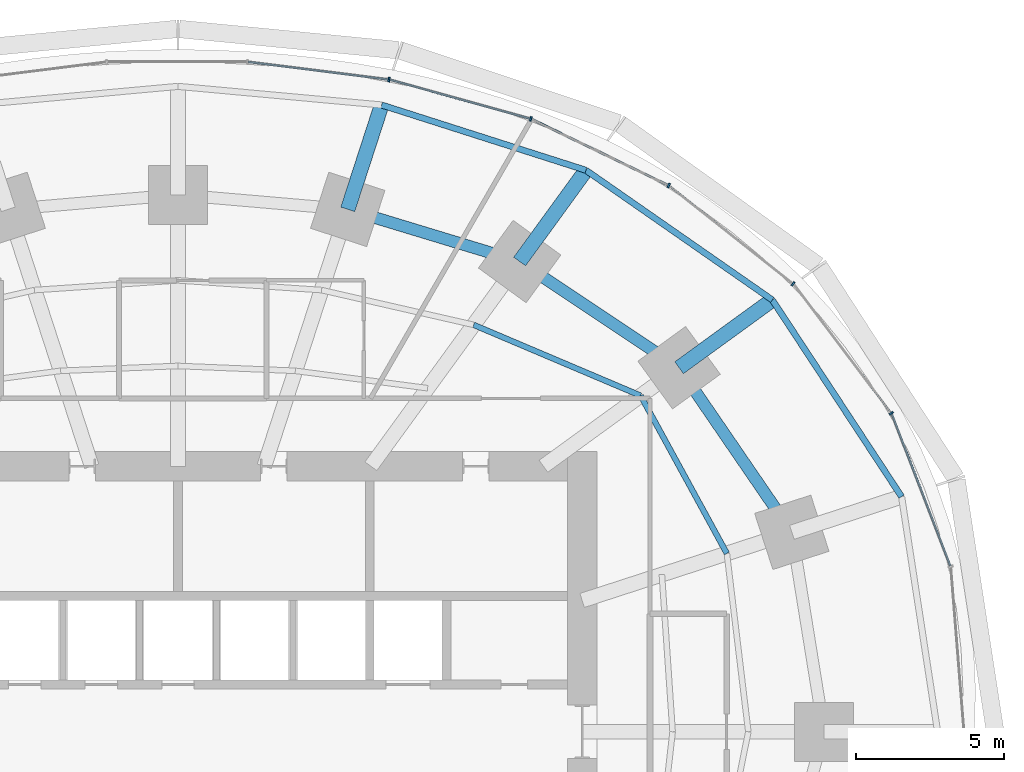
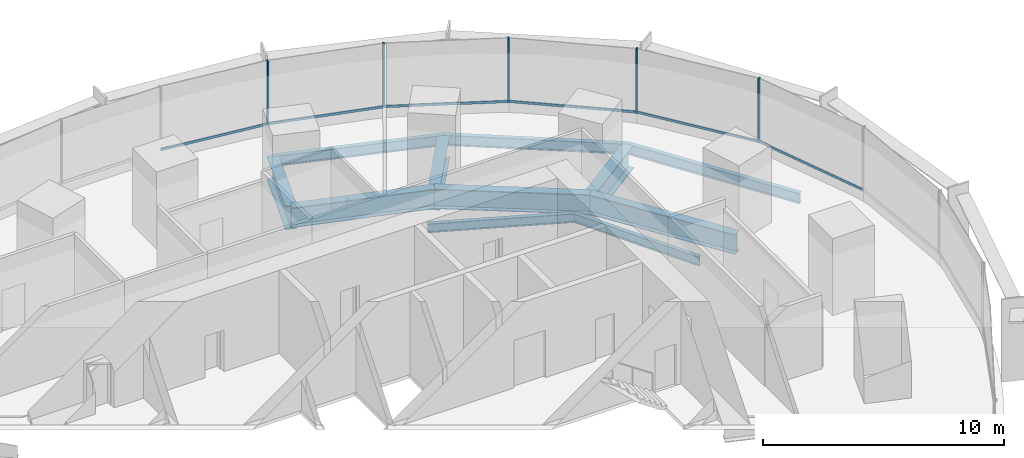
# One storey, part 9 of 15: 11 beams, 11 members, 2 elements without a shape of their own.
"""IFC4 building model written with IfcOpenShell, lengths in metres."""

from ifc_helpers import new_model, si_unit, direction, frame, origin, origin_2d, place, context, subcontext, project, spatial, rectangle, i_section, extrude, material, material_profile, profile_set, type_object, element, aggregate, save


model = new_model("IFC4")

# Units and contexts
model_context = context("Model", 3, precision=1e-05, world=origin(), true_north=direction((0.0, 1.0)))
body_context = subcontext(model_context, "Body", "Model", "MODEL_VIEW")
ifc_project = project(units=[si_unit("LENGTHUNIT", "METRE"), si_unit("AREAUNIT", "SQUARE_METRE"), si_unit("VOLUMEUNIT", "CUBIC_METRE"), si_unit("PLANEANGLEUNIT", "RADIAN"), si_unit("MASSUNIT", "GRAM", prefix="KILO")], contexts=[model_context])

# Site, building, storey
site_placement = place(None, origin())
site = spatial("IfcSite", under=ifc_project, at=site_placement, CompositionType="ELEMENT")
building_placement = place(site_placement, origin())
building = spatial("IfcBuilding", under=site, at=building_placement, Name="Marramba Exchange Tower", CompositionType="ELEMENT")
storey_placement = place(building_placement, frame((0.0, 0.0, 53.199951171875)))
storey = spatial("IfcBuildingStorey", under=building, at=storey_placement, Name="L12", CompositionType="ELEMENT", Elevation=53.199951171875)

# Beams
ifc_material_1 = material(Name="Steel AS/NZS 3679.2 grade 300", Category="steel")
ifc_material_profile_1 = material_profile(ifc_material_1, i_section(OverallWidth=0.5, OverallDepth=1.199951171875, WebThickness=0.01611328125, FlangeThickness=0.0400390625, at=origin_2d()), Name="1200WB455")
ifc_profile_set_1 = profile_set([ifc_material_profile_1], Name="Steel AS/NZS 3679.2 grade 300")
beam_type_1 = type_object("IfcBeamType", Name="Cantilever girder 1200WB455", PredefinedType="BEAM", material=ifc_profile_set_1)
beam_1_placement = place(storey_placement, frame((16.98583984375, 12.3408203125, -0.760009765625), z_axis=(0.808987260856, 0.587826174793, 0.0), x_axis=(-0.587826174793, 0.808987260856, 0.0)))
element("IfcBeam", 1, at=beam_1_placement, inside=storey, type_object=beam_type_1, Name="Cantilever girder L12 TC03", PredefinedType="BEAM", context=body_context, shape_type="SweptSolid", body=[
    extrude(i_section(OverallWidth=0.5, OverallDepth=1.199951171875, WebThickness=0.01611328125, FlangeThickness=0.0400390625, at=origin_2d()), origin(), (0.0, 0.0, 1.0), 3.90771484375),
])
beam_2_placement = place(storey_placement, frame((11.581298828125, 15.9404296875, -0.760009765625), z_axis=(0.587795827483, 0.809009310944, 0.0), x_axis=(-0.809009310944, 0.587795827483, 0.0)))
element("IfcBeam", 2, at=beam_2_placement, inside=storey, type_object=beam_type_1, Name="Cantilever girder L12 TC04", PredefinedType="BEAM", context=body_context, shape_type="SweptSolid", body=[
    extrude(i_section(OverallWidth=0.5, OverallDepth=1.199951171875, WebThickness=0.01611328125, FlangeThickness=0.0400390625, at=origin_2d()), origin(), (0.0, 0.0, 1.0), 3.82421875),
])
beam_3_placement = place(storey_placement, frame((5.75390625, 17.70849609375, -0.760009765625), z_axis=(0.308973290646, 0.951070715387, 0.0), x_axis=(-0.951070715387, 0.308973290646, 0.0)))
element("IfcBeam", 3, at=beam_3_placement, inside=storey, type_object=beam_type_1, Name="Cantilever girder L12 TC05", PredefinedType="BEAM", context=body_context, shape_type="SweptSolid", body=[
    extrude(i_section(OverallWidth=0.5, OverallDepth=1.199951171875, WebThickness=0.01611328125, FlangeThickness=0.0400390625, at=origin_2d()), origin(), (0.0, 0.0, 1.0), 3.72021484375),
])
ifc_material_2 = material(Name="Steel AS/NZS 3679.1 grade 300", Category="steel")
ifc_material_profile_2 = material_profile(ifc_material_2, i_section(OverallWidth=0.18994140625, OverallDepth=0.4541015625, WebThickness=0.008544921875, FlangeThickness=0.0126953125, FilletRadius=0.011474609375, at=origin_2d()), Name="460UB67.1")
ifc_profile_set_2 = profile_set([ifc_material_profile_2], Name="Steel AS/NZS 3679.1 grade 300")
beam_type_2 = type_object("IfcBeamType", Name="Floor joist 460UB67.1", PredefinedType="JOIST", material=ifc_profile_set_2)
beam_4_placement = place(storey_placement, frame((18.60546875, 6.04541015625, -0.386962890625), z_axis=(-0.479584443791, 0.877495732909, 0.0), x_axis=(-0.877495732909, -0.479584443791, 0.0)))
element("IfcBeam", 4, at=beam_4_placement, inside=storey, type_object=beam_type_2, Name="Joist L12 bay 02 row 2", PredefinedType="JOIST", context=body_context, shape_type="SweptSolid", body=[
    extrude(i_section(OverallWidth=0.18994140625, OverallDepth=0.4541015625, WebThickness=0.008544921875, FlangeThickness=0.0126953125, FilletRadius=0.011474609375, at=origin_2d()), origin(), (0.0, 0.0, 1.0), 6.094970703125),
])
beam_5_placement = place(storey_placement, frame((15.682373046875, 11.393798828125, -0.386962890625), z_axis=(-0.920674336375, 0.390331610738, 0.0), x_axis=(-0.390331610738, -0.920674336375, 0.0)))
element("IfcBeam", 5, at=beam_5_placement, inside=storey, type_object=beam_type_2, Name="Joist L12 bay 03 row 2", PredefinedType="JOIST", context=body_context, shape_type="SweptSolid", body=[
    extrude(i_section(OverallWidth=0.18994140625, OverallDepth=0.4541015625, WebThickness=0.008544921875, FlangeThickness=0.0126953125, FilletRadius=0.011474609375, at=origin_2d()), origin(), (0.0, 0.0, 1.0), 6.1484375),
])
ifc_material_profile_3 = material_profile(ifc_material_1, i_section(OverallWidth=0.39990234375, OverallDepth=1.0, WebThickness=0.01611328125, FlangeThickness=0.031982421875, at=origin_2d()), Name="1000WB322")
ifc_profile_set_3 = profile_set([ifc_material_profile_3], Name="Steel AS/NZS 3679.2 grade 300")
beam_type_3 = type_object("IfcBeamType", Name="Ring beam 1000WB322", PredefinedType="SPANDREL", material=ifc_profile_set_3)
beam_6_placement = place(storey_placement, frame((20.808349609375, 6.760986328125, -0.659912109375), z_axis=(-0.56516002054, 0.824981303535, 0.0), x_axis=(-0.824981303535, -0.56516002054, 0.0)))
element("IfcBeam", 6, at=beam_6_placement, inside=storey, type_object=beam_type_3, Name="Ring beam L12 TC02-TC03", PredefinedType="SPANDREL", context=body_context, shape_type="SweptSolid", body=[
    extrude(i_section(OverallWidth=0.39990234375, OverallDepth=1.0, WebThickness=0.01611328125, FlangeThickness=0.031982421875, at=origin_2d()), origin(), (0.0, 0.0, 1.0), 6.763671875),
])
beam_7_placement = place(storey_placement, frame((16.98583984375, 12.3408203125, -0.659912109375), z_axis=(-0.832293151443, 0.554335737673, 0.0), x_axis=(-0.554335737673, -0.832293151443, 0.0)))
element("IfcBeam", 7, at=beam_7_placement, inside=storey, type_object=beam_type_3, Name="Ring beam L12 TC03-TC04", PredefinedType="SPANDREL", context=body_context, shape_type="SweptSolid", body=[
    extrude(i_section(OverallWidth=0.39990234375, OverallDepth=1.0, WebThickness=0.01611328125, FlangeThickness=0.031982421875, at=origin_2d()), origin(), (0.0, 0.0, 1.0), 6.49365234375),
])
beam_8_placement = place(storey_placement, frame((11.581298828125, 15.9404296875, -0.659912109375), z_axis=(-0.956924542524, 0.290336735387, 0.0), x_axis=(-0.290336735387, -0.956924542524, 0.0)))
element("IfcBeam", 8, at=beam_8_placement, inside=storey, type_object=beam_type_3, Name="Ring beam L12 TC04-TC05", PredefinedType="SPANDREL", context=body_context, shape_type="SweptSolid", body=[
    extrude(i_section(OverallWidth=0.39990234375, OverallDepth=1.0, WebThickness=0.01611328125, FlangeThickness=0.031982421875, at=origin_2d()), origin(), (0.0, 0.0, 1.0), 6.089599609375),
])
ifc_material_profile_4 = material_profile(ifc_material_2, i_section(OverallWidth=0.208984375, OverallDepth=0.528076171875, WebThickness=0.009521484375, FlangeThickness=0.01318359375, FilletRadius=0.013916015625, at=origin_2d()), Name="530UB82.0")
ifc_profile_set_4 = profile_set([ifc_material_profile_4], Name="Steel AS/NZS 3679.1 grade 300")
beam_type_4 = type_object("IfcBeamType", Name="Slab edge beam 530UB82.0", PredefinedType="SPANDREL", material=ifc_profile_set_4)
beam_9_placement = place(storey_placement, frame((24.528564453125, 7.9697265625, -0.424072265625), z_axis=(-0.549123544095, 0.835741188001, 0.0), x_axis=(-0.835741188001, -0.549123544095, 0.0)))
element("IfcBeam", 9, at=beam_9_placement, inside=storey, type_object=beam_type_4, Name="Slab edge beam L12 TC02-TC03", PredefinedType="SPANDREL", context=body_context, shape_type="SweptSolid", body=[
    extrude(i_section(OverallWidth=0.208984375, OverallDepth=0.528076171875, WebThickness=0.009521484375, FlangeThickness=0.01318359375, FilletRadius=0.013916015625, at=origin_2d()), origin(), (0.0, 0.0, 1.0), 7.978759765625),
])
beam_10_placement = place(storey_placement, frame((20.147216796875, 14.637939453125, -0.424072265625), z_axis=(-0.820842487183, 0.571154629882, 0.0), x_axis=(-0.571154629882, -0.820842487183, 0.0)))
element("IfcBeam", 10, at=beam_10_placement, inside=storey, type_object=beam_type_4, Name="Slab edge beam L12 TC03-TC04", PredefinedType="SPANDREL", context=body_context, shape_type="SweptSolid", body=[
    extrude(i_section(OverallWidth=0.208984375, OverallDepth=0.528076171875, WebThickness=0.009521484375, FlangeThickness=0.01318359375, FilletRadius=0.013916015625, at=origin_2d()), origin(), (0.0, 0.0, 1.0), 7.697021484375),
])
beam_11_placement = place(storey_placement, frame((13.8291015625, 19.0341796875, -0.424072265625), z_axis=(-0.952577642997, 0.304295635957, 0.0), x_axis=(-0.304295635957, -0.952577642997, 0.0)))
element("IfcBeam", 11, at=beam_11_placement, inside=storey, type_object=beam_type_4, Name="Slab edge beam L12 TC04-TC05", PredefinedType="SPANDREL", context=body_context, shape_type="SweptSolid", body=[
    extrude(i_section(OverallWidth=0.208984375, OverallDepth=0.528076171875, WebThickness=0.009521484375, FlangeThickness=0.01318359375, FilletRadius=0.013916015625, at=origin_2d()), origin(), (0.0, 0.0, 1.0), 7.2705078125),
])

# Curtain wall, members
ifc_material_3 = material(Name="Aluminium framing, bronze anodised", Category="aluminium")
curtain_wall_type = type_object("IfcCurtainWallType", Name="Trading floor ribbon curtain wall", PredefinedType="USERDEFINED", material=ifc_material_3)
curtain_wall_1_placement = place(storey_placement, origin())
curtain_wall_1 = element("IfcCurtainWall", 12, at=curtain_wall_1_placement, inside=storey, type_object=curtain_wall_type, Name="Curtain wall CW3 L12 F01-F05", ObjectType="RIBBON CURTAIN WALL", PredefinedType="USERDEFINED")
ifc_material_4 = material(Name="Aluminium mullion, bronze anodised", Category="aluminium")
ifc_material_profile_5 = material_profile(ifc_material_4, rectangle(XDim=0.159912109375, YDim=0.06005859375, at=origin_2d()), Name="CW3 mullion 60x160")
ifc_profile_set_5 = profile_set([ifc_material_profile_5], Name="Aluminium mullion, bronze anodised")
member_type_1 = type_object("IfcMemberType", Name="Trading floor ribbon curtain wall mullion", PredefinedType="MULLION", material=ifc_profile_set_5)
member_1_placement = place(storey_placement, frame((24.178466796875, 10.796875, 0.800048828125), z_axis=(0.0, 0.0, 1.0), x_axis=(-0.797748922445, -0.602989765036, 0.0)))
member_1 = element("IfcMember", 13, at=member_1_placement, type_object=member_type_1, Name="CW3 mullion 1", PredefinedType="MULLION", context=body_context, shape_type="SweptSolid", body=[
    extrude(rectangle(XDim=0.159912109375, YDim=0.06005859375, at=origin_2d()), origin(), (0.0, 0.0, 1.0), 3.239990234375),
])
member_2_placement = place(storey_placement, frame((20.851806640625, 15.185546875, 0.800048828125), z_axis=(0.0, 0.0, 1.0), x_axis=(-0.620649730166, -0.784087949432, 0.0)))
member_2 = element("IfcMember", 14, at=member_2_placement, type_object=member_type_1, Name="CW3 mullion 1", PredefinedType="MULLION", context=body_context, shape_type="SweptSolid", body=[
    extrude(rectangle(XDim=0.159912109375, YDim=0.06005859375, at=origin_2d()), origin(), (0.0, 0.0, 1.0), 3.239990234375),
])
member_3_placement = place(storey_placement, frame((16.63330078125, 18.516357421875, 0.800048828125), z_axis=(0.0, 0.0, 1.0), x_axis=(-0.43596538664, -0.899963433508, 0.0)))
member_3 = element("IfcMember", 15, at=member_3_placement, type_object=member_type_1, Name="CW3 mullion 1", PredefinedType="MULLION", context=body_context, shape_type="SweptSolid", body=[
    extrude(rectangle(XDim=0.159912109375, YDim=0.06005859375, at=origin_2d()), origin(), (0.0, 0.0, 1.0), 3.239990234375),
])

curtain_wall_2_placement = place(storey_placement, origin())
curtain_wall_2 = element("IfcCurtainWall", 16, at=curtain_wall_2_placement, inside=storey, type_object=curtain_wall_type, Name="Curtain wall CW3 L12 F06-F10", ObjectType="RIBBON CURTAIN WALL", PredefinedType="USERDEFINED")
member_4_placement = place(storey_placement, frame((11.96044921875, 20.774169921875, 0.800048828125), z_axis=(0.0, 0.0, 1.0), x_axis=(-0.267808735815, -0.963472096649, 0.0)))
member_4 = element("IfcMember", 17, at=member_4_placement, type_object=member_type_1, Name="CW3 mullion 1", PredefinedType="MULLION", context=body_context, shape_type="SweptSolid", body=[
    extrude(rectangle(XDim=0.159912109375, YDim=0.06005859375, at=origin_2d()), origin(), (0.0, 0.0, 1.0), 3.239990234375),
])
member_5_placement = place(storey_placement, frame((7.15185546875, 22.106201171875, 0.800048828125), z_axis=(0.0, 0.0, 1.0), x_axis=(-0.124872723099, -0.992172768738, 0.0)))
member_5 = element("IfcMember", 18, at=member_5_placement, type_object=member_type_1, Name="CW3 mullion 1", PredefinedType="MULLION", context=body_context, shape_type="SweptSolid", body=[
    extrude(rectangle(XDim=0.159912109375, YDim=0.06005859375, at=origin_2d()), origin(), (0.0, 0.0, 1.0), 3.239990234375),
])

# Member
ifc_material_5 = material(Name="Aluminium transom, bronze anodised", Category="aluminium")
ifc_material_profile_6 = material_profile(ifc_material_5, rectangle(XDim=0.06005859375, YDim=0.1201171875, at=origin_2d()), Name="CW3 transom 60x120")
ifc_profile_set_6 = profile_set([ifc_material_profile_6], Name="Aluminium transom, bronze anodised")
member_type_2 = type_object("IfcMemberType", Name="Trading floor ribbon curtain wall transom", PredefinedType="USERDEFINED", material=ifc_profile_set_6)
member_6_placement = place(storey_placement, frame((26.179931640625, 5.625244140625, 0.830078125), z_axis=(-0.359533581349, 0.933132147063, 0.0), x_axis=(-0.933132147063, -0.359533581349, 0.0)))
member_6 = element("IfcMember", 19, at=member_6_placement, type_object=member_type_2, Name="CW3 sill transom", ObjectType="TRANSOM", PredefinedType="USERDEFINED", context=body_context, shape_type="SweptSolid", body=[
    extrude(rectangle(XDim=0.06005859375, YDim=0.1201171875, at=origin_2d()), origin(), (0.0, 0.0, 1.0), 5.5166015625),
])

member_7_placement = place(storey_placement, frame((24.160400390625, 10.82080078125, 0.830078125), z_axis=(-0.602985866158, 0.797751869452, 0.0), x_axis=(-0.797751869452, -0.602985866158, 0.0)))
member_7 = element("IfcMember", 20, at=member_7_placement, type_object=member_type_2, Name="CW3 sill transom", ObjectType="TRANSOM", PredefinedType="USERDEFINED", context=body_context, shape_type="SweptSolid", body=[
    extrude(rectangle(XDim=0.06005859375, YDim=0.1201171875, at=origin_2d()), origin(), (0.0, 0.0, 1.0), 5.44775390625),
])

member_8_placement = place(storey_placement, frame((20.828369140625, 15.2041015625, 0.830078125), z_axis=(-0.784097975735, 0.620637063385, 0.0), x_axis=(-0.620637063385, -0.784097975735, 0.0)))
member_8 = element("IfcMember", 21, at=member_8_placement, type_object=member_type_2, Name="CW3 sill transom", ObjectType="TRANSOM", PredefinedType="USERDEFINED", context=body_context, shape_type="SweptSolid", body=[
    extrude(rectangle(XDim=0.06005859375, YDim=0.1201171875, at=origin_2d()), origin(), (0.0, 0.0, 1.0), 5.315673828125),
])

member_9_placement = place(storey_placement, frame((16.6064453125, 18.529296875, 0.830078125), z_axis=(-0.89995331781, 0.43598626786, 0.0), x_axis=(-0.43598626786, -0.89995331781, 0.0)))
member_9 = element("IfcMember", 22, at=member_9_placement, type_object=member_type_2, Name="CW3 sill transom", ObjectType="TRANSOM", PredefinedType="USERDEFINED", context=body_context, shape_type="SweptSolid", body=[
    extrude(rectangle(XDim=0.06005859375, YDim=0.1201171875, at=origin_2d()), origin(), (0.0, 0.0, 1.0), 5.13037109375),
])

aggregate(curtain_wall_1, [member_6, member_1, member_7, member_2, member_8, member_3, member_9])

member_10_placement = place(storey_placement, frame((11.931396484375, 20.7822265625, 0.830078125), z_axis=(-0.963468938163, 0.267820098565, 0.0), x_axis=(-0.267820098565, -0.963468938163, 0.0)))
member_10 = element("IfcMember", 23, at=member_10_placement, type_object=member_type_2, Name="CW3 sill transom", ObjectType="TRANSOM", PredefinedType="USERDEFINED", context=body_context, shape_type="SweptSolid", body=[
    extrude(rectangle(XDim=0.06005859375, YDim=0.1201171875, at=origin_2d()), origin(), (0.0, 0.0, 1.0), 4.929931640625),
])

member_11_placement = place(storey_placement, frame((7.1220703125, 22.10986328125, 0.830078125), z_axis=(-0.99216810728, 0.124909755012, 0.0), x_axis=(-0.124909755012, -0.99216810728, 0.0)))
member_11 = element("IfcMember", 24, at=member_11_placement, type_object=member_type_2, Name="CW3 sill transom", ObjectType="TRANSOM", PredefinedType="USERDEFINED", context=body_context, shape_type="SweptSolid", body=[
    extrude(rectangle(XDim=0.06005859375, YDim=0.1201171875, at=origin_2d()), origin(), (0.0, 0.0, 1.0), 4.77294921875),
])

aggregate(curtain_wall_2, [member_4, member_10, member_5, member_11])

save(model, "model.ifc")
